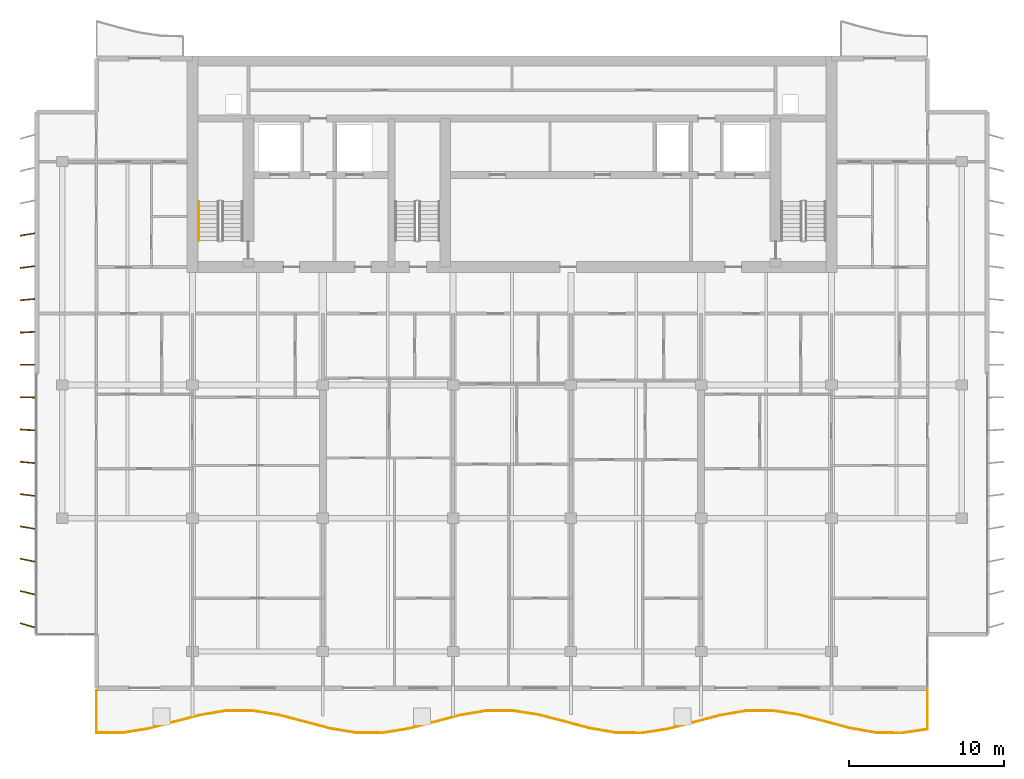
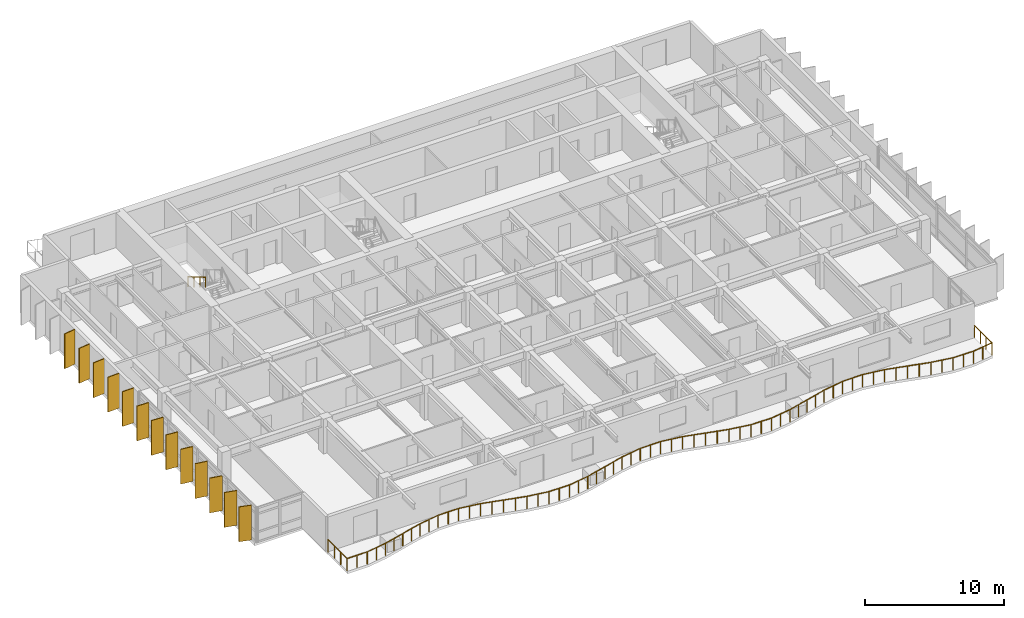
# One storey, part 12 of 16: 13 shading devices, 2 railings.
"""IFC4 building model written with IfcOpenShell, lengths in metres."""

from ifc_helpers import new_model, si_unit, direction, frame, origin, origin_2d, place, context, subcontext, project, spatial, rectangle, circle, extrude, material, material_profile, profile_set, type_object, element, save


model = new_model("IFC4")

# Units and contexts
model_context = context("Model", 3, precision=1e-05, world=origin(), true_north=direction((0.0, 1.0)))
body_context = subcontext(model_context, "Body", "Model", "MODEL_VIEW")
ifc_project = project(units=[si_unit("LENGTHUNIT", "METRE"), si_unit("AREAUNIT", "SQUARE_METRE"), si_unit("VOLUMEUNIT", "CUBIC_METRE"), si_unit("PLANEANGLEUNIT", "RADIAN"), si_unit("MASSUNIT", "GRAM", prefix="KILO")], contexts=[model_context])

# Site, building, storey
site_placement = place(None, origin())
site = spatial("IfcSite", under=ifc_project, at=site_placement, CompositionType="ELEMENT")
building_placement = place(site_placement, origin())
building = spatial("IfcBuilding", under=site, at=building_placement, Name="Caelmar Bay Residences", CompositionType="ELEMENT")
storey_placement = place(building_placement, frame((0.0, 0.0, 239.699951171875)))
storey = spatial("IfcBuildingStorey", under=building, at=storey_placement, Name="L67", CompositionType="ELEMENT", Elevation=239.699951171875)

# Railings
ifc_material_1 = material(Name="Anodised bronze handrail with laminated hurricane glass infill", Category="glass")
railing_type_1 = type_object("IfcRailingType", Name="RL-BAL-1100", PredefinedType="BALUSTRADE", material=ifc_material_1)
railing_1_placement = place(storey_placement, frame((12.10009765625, 9.699951171875, 0.0)))
element("IfcRailing", 1, at=railing_1_placement, inside=storey, type_object=railing_type_1, Name="L67 south Balcony Balustrade", PredefinedType="BALUSTRADE", context=body_context, shape_type="SweptSolid", body=[
    extrude(circle(Radius=0.02392578125, at=origin_2d()), frame((0.0, 0.0, 1.076171875), z_axis=(0.0, -1.0, 0.0), x_axis=(1.0, 0.0, 0.0)), (0.0, 0.0, 1.0), 2.733154296875),
    extrude(circle(Radius=0.02392578125, at=origin_2d()), frame((0.0, -2.733154296875, 1.076171875), z_axis=(0.999999957501, -0.000291545177, 0.0), x_axis=(0.000291545177, 0.999999957501, 0.0)), (0.0, 0.0, 1.0), 1.6748046875),
    extrude(circle(Radius=0.02392578125, at=origin_2d()), frame((1.6748046875, -2.733642578125, 1.076171875), z_axis=(0.987209726561, 0.159426960652, 0.0), x_axis=(-0.159426960652, 0.987209726561, 0.0)), (0.0, 0.0, 1.0), 1.69677734375),
    extrude(circle(Radius=0.02392578125, at=origin_2d()), frame((3.349853515625, -2.463134765625, 1.076171875), z_axis=(0.967335189045, 0.25350075352, 0.0), x_axis=(-0.25350075352, 0.967335189045, 0.0)), (0.0, 0.0, 1.0), 1.731689453125),
    extrude(circle(Radius=0.02392578125, at=origin_2d()), frame((5.02490234375, -2.024169921875, 1.076171875), z_axis=(0.967127467675, 0.25429207866, 0.0), x_axis=(-0.25429207866, 0.967127467675, 0.0)), (0.0, 0.0, 1.0), 1.73193359375),
    extrude(circle(Radius=0.02392578125, at=origin_2d()), frame((6.699951171875, -1.583740234375, 1.076171875), z_axis=(0.986799042311, 0.161949529463, 0.0), x_axis=(-0.161949529463, 0.986799042311, 0.0)), (0.0, 0.0, 1.0), 1.697509765625),
    extrude(circle(Radius=0.02392578125, at=origin_2d()), frame((8.375, -1.308837890625, 1.076171875), z_axis=(0.99999616446, 0.002769668677, 0.0), x_axis=(-0.002769668677, 0.99999616446, 0.0)), (0.0, 0.0, 1.0), 1.6748046875),
    extrude(circle(Radius=0.02392578125, at=origin_2d()), frame((10.0498046875, -1.30419921875, 1.076171875), z_axis=(0.987524919692, -0.157462798738, 0.0), x_axis=(0.157462798738, 0.987524919692, 0.0)), (0.0, 0.0, 1.0), 1.6962890625),
    extrude(circle(Radius=0.02392578125, at=origin_2d()), frame((11.724853515625, -1.5712890625, 1.076171875), z_axis=(0.967542351628, -0.252708919125, 0.0), x_axis=(0.252708919125, 0.967542351628, 0.0)), (0.0, 0.0, 1.0), 1.731201171875),
    extrude(circle(Radius=0.02392578125, at=origin_2d()), frame((13.39990234375, -2.0087890625, 1.076171875), z_axis=(0.966953940543, -0.254951126431, 0.0), x_axis=(0.254951126431, 0.966953940543, 0.0)), (0.0, 0.0, 1.0), 1.732177734375),
    extrude(circle(Radius=0.02392578125, at=origin_2d()), frame((15.074951171875, -2.450439453125, 1.076171875), z_axis=(0.986475407243, -0.163909337452, 0.0), x_axis=(0.163909337452, 0.986475407243, 0.0)), (0.0, 0.0, 1.0), 1.697998046875),
    extrude(circle(Radius=0.02392578125, at=origin_2d()), frame((16.75, -2.728759765625, 1.076171875), z_axis=(0.999985454932, -0.005393507556, 0.0), x_axis=(0.005393507556, 0.999985454932, 0.0)), (0.0, 0.0, 1.0), 1.6748046875),
    extrude(circle(Radius=0.02392578125, at=origin_2d()), frame((18.4248046875, -2.73779296875, 1.076171875), z_axis=(0.987858507644, 0.155356264356, 0.0), x_axis=(-0.155356264356, 0.987858507644, 0.0)), (0.0, 0.0, 1.0), 1.695556640625),
    extrude(circle(Radius=0.02392578125, at=origin_2d()), frame((20.099853515625, -2.474365234375, 1.076171875), z_axis=(0.967714559403, 0.252048668948, 0.0), x_axis=(-0.252048668948, 0.967714559403, 0.0)), (0.0, 0.0, 1.0), 1.73095703125),
    extrude(circle(Radius=0.02392578125, at=origin_2d()), frame((21.77490234375, -2.0380859375, 1.076171875), z_axis=(0.966780026886, 0.255609819089, 0.0), x_axis=(-0.255609819089, 0.966780026886, 0.0)), (0.0, 0.0, 1.0), 1.732666015625),
    extrude(circle(Radius=0.02392578125, at=origin_2d()), frame((23.449951171875, -1.59521484375, 1.076171875), z_axis=(0.986148097288, 0.165867206569, 0.0), x_axis=(-0.165867206569, 0.986148097288, 0.0)), (0.0, 0.0, 1.0), 1.698486328125),
    extrude(circle(Radius=0.02392578125, at=origin_2d()), frame((25.125, -1.3134765625, 1.076171875), z_axis=(0.999967861455, 0.008017235041, 0.0), x_axis=(-0.008017235041, 0.999967861455, 0.0)), (0.0, 0.0, 1.0), 1.6748046875),
    extrude(circle(Radius=0.02392578125, at=origin_2d()), frame((26.7998046875, -1.300048828125, 1.076171875), z_axis=(0.988166000447, -0.153388251053, 0.0), x_axis=(0.153388251053, 0.988166000447, 0.0)), (0.0, 0.0, 1.0), 1.695068359375),
    extrude(circle(Radius=0.02392578125, at=origin_2d()), frame((28.474853515625, -1.56005859375, 1.076171875), z_axis=(0.96792069445, -0.251255903923, 0.0), x_axis=(0.251255903923, 0.96792069445, 0.0)), (0.0, 0.0, 1.0), 1.73046875),
    extrude(circle(Radius=0.02392578125, at=origin_2d()), frame((30.14990234375, -1.994873046875, 1.076171875), z_axis=(0.966605727396, -0.256268155973, 0.0), x_axis=(0.256268155973, 0.966605727396, 0.0)), (0.0, 0.0, 1.0), 1.73291015625),
    extrude(circle(Radius=0.02392578125, at=origin_2d()), frame((31.824951171875, -2.43896484375, 1.076171875), z_axis=(0.985817123837, -0.167823116257, 0.0), x_axis=(0.167823116257, 0.985817123837, 0.0)), (0.0, 0.0, 1.0), 1.69921875),
    extrude(circle(Radius=0.02392578125, at=origin_2d()), frame((33.5, -2.72412109375, 1.076171875), z_axis=(0.999944925459, -0.01049504878, 0.0), x_axis=(0.01049504878, 0.999944925459, 0.0)), (0.0, 0.0, 1.0), 1.6748046875),
    extrude(circle(Radius=0.02392578125, at=origin_2d()), frame((35.1748046875, -2.74169921875, 1.076171875), z_axis=(0.988491313086, 0.151277638645, 0.0), x_axis=(-0.151277638645, 0.988491313086, 0.0)), (0.0, 0.0, 1.0), 1.694580078125),
    extrude(circle(Radius=0.02392578125, at=origin_2d()), frame((36.849853515625, -2.4853515625, 1.076171875), z_axis=(0.968160474746, 0.250330371987, 0.0), x_axis=(-0.250330371987, 0.968160474746, 0.0)), (0.0, 0.0, 1.0), 1.730224609375),
    extrude(circle(Radius=0.02392578125, at=origin_2d()), frame((38.52490234375, -2.05224609375, 1.076171875), z_axis=(0.966396059685, 0.257057689684, 0.0), x_axis=(-0.257057689684, 0.966396059685, 0.0)), (0.0, 0.0, 1.0), 1.7333984375),
    extrude(circle(Radius=0.02392578125, at=origin_2d()), frame((40.199951171875, -1.606689453125, 1.076171875), z_axis=(0.98550652107, 0.169637545749, 0.0), x_axis=(-0.169637545749, 0.98550652107, 0.0)), (0.0, 0.0, 1.0), 1.69970703125),
    extrude(circle(Radius=0.02392578125, at=origin_2d()), frame((41.875, -1.318359375, 1.076171875), z_axis=(0.999912027437, 0.013264139139, 0.0), x_axis=(-0.013264139139, 0.999912027437, 0.0)), (0.0, 0.0, 1.0), 1.675048828125),
    extrude(circle(Radius=0.02392578125, at=origin_2d()), frame((43.5498046875, -1.296142578125, 1.076171875), z_axis=(0.988791059214, -0.149305864647, 0.0), x_axis=(0.149305864647, 0.988791059214, 0.0)), (0.0, 0.0, 1.0), 1.694091796875),
    extrude(circle(Radius=0.02392578125, at=origin_2d()), frame((45.224853515625, -1.549072265625, 1.076171875), z_axis=(0.96836539028, -0.249536512173, 0.0), x_axis=(0.249536512173, 0.96836539028, 0.0)), (0.0, 0.0, 1.0), 1.729736328125),
    extrude(circle(Radius=0.02392578125, at=origin_2d()), frame((46.89990234375, -1.980712890625, 1.076171875), z_axis=(0.966255973692, -0.257583759785, 0.0), x_axis=(0.257583759785, 0.966255973692, 0.0)), (0.0, 0.0, 1.0), 1.733642578125),
    extrude(circle(Radius=0.02392578125, at=origin_2d()), frame((48.574951171875, -2.42724609375, 1.076171875), z_axis=(0.985144232543, -0.171728975677, 0.0), x_axis=(0.171728975677, 0.985144232543, 0.0)), (0.0, 0.0, 1.0), 1.7001953125),
    extrude(circle(Radius=0.02392578125, at=origin_2d()), frame((50.25, -2.71923828125, 1.076171875), z_axis=(0.999878378573, -0.015595770628, 0.0), x_axis=(0.015595770628, 0.999878378573, 0.0)), (0.0, 0.0, 1.0), 1.675048828125),
    extrude(circle(Radius=0.02392578125, at=origin_2d()), frame((51.9248046875, -2.745361328125, 1.076171875), z_axis=(0.989129026348, 0.147050226917, 0.0), x_axis=(-0.147050226917, 0.989129026348, 0.0)), (0.0, 0.0, 1.0), 1.693359375),
    extrude(circle(Radius=0.02392578125, at=origin_2d()), frame((53.599853515625, -2.496337890625, 1.076171875), z_axis=(0.0, 1.0, 0.0), x_axis=(-1.0, 0.0, 0.0)), (0.0, 0.0, 1.0), 2.496337890625),
    extrude(circle(Radius=0.02099609375, at=origin_2d()), origin(), (0.0, 0.0, 1.0), 1.052001953125),
    extrude(circle(Radius=0.02099609375, at=origin_2d()), frame((0.0, -0.9111328125, 0.0)), (0.0, 0.0, 1.0), 1.052001953125),
    extrude(circle(Radius=0.02099609375, at=origin_2d()), frame((0.0, -1.822021484375, 0.0)), (0.0, 0.0, 1.0), 1.052001953125),
    extrude(circle(Radius=0.02099609375, at=origin_2d()), frame((0.0, -2.733154296875, 0.0)), (0.0, 0.0, 1.0), 1.052001953125),
    extrude(circle(Radius=0.02099609375, at=origin_2d()), frame((0.83740234375, -2.7333984375, 0.0)), (0.0, 0.0, 1.0), 1.052001953125),
    extrude(circle(Radius=0.02099609375, at=origin_2d()), frame((1.6748046875, -2.733642578125, 0.0)), (0.0, 0.0, 1.0), 1.052001953125),
    extrude(circle(Radius=0.02099609375, at=origin_2d()), frame((2.51220703125, -2.598388671875, 0.0)), (0.0, 0.0, 1.0), 1.052001953125),
    extrude(circle(Radius=0.02099609375, at=origin_2d()), frame((3.349853515625, -2.463134765625, 0.0)), (0.0, 0.0, 1.0), 1.052001953125),
    extrude(circle(Radius=0.02099609375, at=origin_2d()), frame((4.1875, -2.24365234375, 0.0)), (0.0, 0.0, 1.0), 1.052001953125),
    extrude(circle(Radius=0.02099609375, at=origin_2d()), frame((5.02490234375, -2.024169921875, 0.0)), (0.0, 0.0, 1.0), 1.052001953125),
    extrude(circle(Radius=0.02099609375, at=origin_2d()), frame((5.8623046875, -1.803955078125, 0.0)), (0.0, 0.0, 1.0), 1.052001953125),
    extrude(circle(Radius=0.02099609375, at=origin_2d()), frame((6.699951171875, -1.583740234375, 0.0)), (0.0, 0.0, 1.0), 1.052001953125),
    extrude(circle(Radius=0.02099609375, at=origin_2d()), frame((7.53759765625, -1.4462890625, 0.0)), (0.0, 0.0, 1.0), 1.052001953125),
    extrude(circle(Radius=0.02099609375, at=origin_2d()), frame((8.375, -1.308837890625, 0.0)), (0.0, 0.0, 1.0), 1.052001953125),
    extrude(circle(Radius=0.02099609375, at=origin_2d()), frame((9.21240234375, -1.306640625, 0.0)), (0.0, 0.0, 1.0), 1.052001953125),
    extrude(circle(Radius=0.02099609375, at=origin_2d()), frame((10.0498046875, -1.30419921875, 0.0)), (0.0, 0.0, 1.0), 1.052001953125),
    extrude(circle(Radius=0.02099609375, at=origin_2d()), frame((10.88720703125, -1.437744140625, 0.0)), (0.0, 0.0, 1.0), 1.052001953125),
    extrude(circle(Radius=0.02099609375, at=origin_2d()), frame((11.724853515625, -1.5712890625, 0.0)), (0.0, 0.0, 1.0), 1.052001953125),
    extrude(circle(Radius=0.02099609375, at=origin_2d()), frame((12.5625, -1.7900390625, 0.0)), (0.0, 0.0, 1.0), 1.052001953125),
    extrude(circle(Radius=0.02099609375, at=origin_2d()), frame((13.39990234375, -2.0087890625, 0.0)), (0.0, 0.0, 1.0), 1.052001953125),
    extrude(circle(Radius=0.02099609375, at=origin_2d()), frame((14.2373046875, -2.2294921875, 0.0)), (0.0, 0.0, 1.0), 1.052001953125),
    extrude(circle(Radius=0.02099609375, at=origin_2d()), frame((15.074951171875, -2.450439453125, 0.0)), (0.0, 0.0, 1.0), 1.052001953125),
    extrude(circle(Radius=0.02099609375, at=origin_2d()), frame((15.91259765625, -2.589599609375, 0.0)), (0.0, 0.0, 1.0), 1.052001953125),
    extrude(circle(Radius=0.02099609375, at=origin_2d()), frame((16.75, -2.728759765625, 0.0)), (0.0, 0.0, 1.0), 1.052001953125),
    extrude(circle(Radius=0.02099609375, at=origin_2d()), frame((17.58740234375, -2.7333984375, 0.0)), (0.0, 0.0, 1.0), 1.052001953125),
    extrude(circle(Radius=0.02099609375, at=origin_2d()), frame((18.4248046875, -2.73779296875, 0.0)), (0.0, 0.0, 1.0), 1.052001953125),
    extrude(circle(Radius=0.02099609375, at=origin_2d()), frame((19.26220703125, -2.60595703125, 0.0)), (0.0, 0.0, 1.0), 1.052001953125),
    extrude(circle(Radius=0.02099609375, at=origin_2d()), frame((20.099853515625, -2.474365234375, 0.0)), (0.0, 0.0, 1.0), 1.052001953125),
    extrude(circle(Radius=0.02099609375, at=origin_2d()), frame((20.9375, -2.25634765625, 0.0)), (0.0, 0.0, 1.0), 1.052001953125),
    extrude(circle(Radius=0.02099609375, at=origin_2d()), frame((21.77490234375, -2.0380859375, 0.0)), (0.0, 0.0, 1.0), 1.052001953125),
    extrude(circle(Radius=0.02099609375, at=origin_2d()), frame((22.6123046875, -1.816650390625, 0.0)), (0.0, 0.0, 1.0), 1.052001953125),
    extrude(circle(Radius=0.02099609375, at=origin_2d()), frame((23.449951171875, -1.59521484375, 0.0)), (0.0, 0.0, 1.0), 1.052001953125),
    extrude(circle(Radius=0.02099609375, at=origin_2d()), frame((24.28759765625, -1.454345703125, 0.0)), (0.0, 0.0, 1.0), 1.052001953125),
    extrude(circle(Radius=0.02099609375, at=origin_2d()), frame((25.125, -1.3134765625, 0.0)), (0.0, 0.0, 1.0), 1.052001953125),
    extrude(circle(Radius=0.02099609375, at=origin_2d()), frame((25.96240234375, -1.306640625, 0.0)), (0.0, 0.0, 1.0), 1.052001953125),
    extrude(circle(Radius=0.02099609375, at=origin_2d()), frame((26.7998046875, -1.300048828125, 0.0)), (0.0, 0.0, 1.0), 1.052001953125),
    extrude(circle(Radius=0.02099609375, at=origin_2d()), frame((27.63720703125, -1.43017578125, 0.0)), (0.0, 0.0, 1.0), 1.052001953125),
    extrude(circle(Radius=0.02099609375, at=origin_2d()), frame((28.474853515625, -1.56005859375, 0.0)), (0.0, 0.0, 1.0), 1.052001953125),
    extrude(circle(Radius=0.02099609375, at=origin_2d()), frame((29.3125, -1.77734375, 0.0)), (0.0, 0.0, 1.0), 1.052001953125),
    extrude(circle(Radius=0.02099609375, at=origin_2d()), frame((30.14990234375, -1.994873046875, 0.0)), (0.0, 0.0, 1.0), 1.052001953125),
    extrude(circle(Radius=0.02099609375, at=origin_2d()), frame((30.9873046875, -2.216796875, 0.0)), (0.0, 0.0, 1.0), 1.052001953125),
    extrude(circle(Radius=0.02099609375, at=origin_2d()), frame((31.824951171875, -2.43896484375, 0.0)), (0.0, 0.0, 1.0), 1.052001953125),
    extrude(circle(Radius=0.02099609375, at=origin_2d()), frame((32.66259765625, -2.58154296875, 0.0)), (0.0, 0.0, 1.0), 1.052001953125),
    extrude(circle(Radius=0.02099609375, at=origin_2d()), frame((33.5, -2.72412109375, 0.0)), (0.0, 0.0, 1.0), 1.052001953125),
    extrude(circle(Radius=0.02099609375, at=origin_2d()), frame((34.33740234375, -2.73291015625, 0.0)), (0.0, 0.0, 1.0), 1.052001953125),
    extrude(circle(Radius=0.02099609375, at=origin_2d()), frame((35.1748046875, -2.74169921875, 0.0)), (0.0, 0.0, 1.0), 1.052001953125),
    extrude(circle(Radius=0.02099609375, at=origin_2d()), frame((36.01220703125, -2.613525390625, 0.0)), (0.0, 0.0, 1.0), 1.052001953125),
    extrude(circle(Radius=0.02099609375, at=origin_2d()), frame((36.849853515625, -2.4853515625, 0.0)), (0.0, 0.0, 1.0), 1.052001953125),
    extrude(circle(Radius=0.02099609375, at=origin_2d()), frame((37.6875, -2.268798828125, 0.0)), (0.0, 0.0, 1.0), 1.052001953125),
    extrude(circle(Radius=0.02099609375, at=origin_2d()), frame((38.52490234375, -2.05224609375, 0.0)), (0.0, 0.0, 1.0), 1.052001953125),
    extrude(circle(Radius=0.02099609375, at=origin_2d()), frame((39.3623046875, -1.82958984375, 0.0)), (0.0, 0.0, 1.0), 1.052001953125),
    extrude(circle(Radius=0.02099609375, at=origin_2d()), frame((40.199951171875, -1.606689453125, 0.0)), (0.0, 0.0, 1.0), 1.052001953125),
    extrude(circle(Radius=0.02099609375, at=origin_2d()), frame((41.03759765625, -1.46240234375, 0.0)), (0.0, 0.0, 1.0), 1.052001953125),
    extrude(circle(Radius=0.02099609375, at=origin_2d()), frame((41.875, -1.318359375, 0.0)), (0.0, 0.0, 1.0), 1.052001953125),
    extrude(circle(Radius=0.02099609375, at=origin_2d()), frame((42.71240234375, -1.30712890625, 0.0)), (0.0, 0.0, 1.0), 1.052001953125),
    extrude(circle(Radius=0.02099609375, at=origin_2d()), frame((43.5498046875, -1.296142578125, 0.0)), (0.0, 0.0, 1.0), 1.052001953125),
    extrude(circle(Radius=0.02099609375, at=origin_2d()), frame((44.38720703125, -1.422607421875, 0.0)), (0.0, 0.0, 1.0), 1.052001953125),
    extrude(circle(Radius=0.02099609375, at=origin_2d()), frame((45.224853515625, -1.549072265625, 0.0)), (0.0, 0.0, 1.0), 1.052001953125),
    extrude(circle(Radius=0.02099609375, at=origin_2d()), frame((46.0625, -1.764892578125, 0.0)), (0.0, 0.0, 1.0), 1.052001953125),
    extrude(circle(Radius=0.02099609375, at=origin_2d()), frame((46.89990234375, -1.980712890625, 0.0)), (0.0, 0.0, 1.0), 1.052001953125),
    extrude(circle(Radius=0.02099609375, at=origin_2d()), frame((47.7373046875, -2.2041015625, 0.0)), (0.0, 0.0, 1.0), 1.052001953125),
    extrude(circle(Radius=0.02099609375, at=origin_2d()), frame((48.574951171875, -2.42724609375, 0.0)), (0.0, 0.0, 1.0), 1.052001953125),
    extrude(circle(Radius=0.02099609375, at=origin_2d()), frame((49.41259765625, -2.5732421875, 0.0)), (0.0, 0.0, 1.0), 1.052001953125),
    extrude(circle(Radius=0.02099609375, at=origin_2d()), frame((50.25, -2.71923828125, 0.0)), (0.0, 0.0, 1.0), 1.052001953125),
    extrude(circle(Radius=0.02099609375, at=origin_2d()), frame((51.08740234375, -2.732421875, 0.0)), (0.0, 0.0, 1.0), 1.052001953125),
    extrude(circle(Radius=0.02099609375, at=origin_2d()), frame((51.9248046875, -2.745361328125, 0.0)), (0.0, 0.0, 1.0), 1.052001953125),
    extrude(circle(Radius=0.02099609375, at=origin_2d()), frame((52.76220703125, -2.620849609375, 0.0)), (0.0, 0.0, 1.0), 1.052001953125),
    extrude(circle(Radius=0.02099609375, at=origin_2d()), frame((53.599853515625, -2.496337890625, 0.0)), (0.0, 0.0, 1.0), 1.052001953125),
    extrude(circle(Radius=0.02099609375, at=origin_2d()), frame((53.599853515625, -1.664306640625, 0.0)), (0.0, 0.0, 1.0), 1.052001953125),
    extrude(circle(Radius=0.02099609375, at=origin_2d()), frame((53.599853515625, -0.83203125, 0.0)), (0.0, 0.0, 1.0), 1.052001953125),
    extrude(circle(Radius=0.02099609375, at=origin_2d()), frame((53.599853515625, 0.0, 0.0)), (0.0, 0.0, 1.0), 1.052001953125),
])
ifc_material_2 = material(Name="Brushed bronze stainless-steel tubular handrail 900 mm", Category="steel")
railing_type_2 = type_object("IfcRailingType", Name="RL-HND-900", PredefinedType="HANDRAIL", material=ifc_material_2)
railing_2_placement = place(storey_placement, frame((18.699951171875, 41.219970703125, 1.81494140625)))
element("IfcRailing", 2, at=railing_2_placement, inside=storey, type_object=railing_type_2, Name="L67 ST1 stair handrail 2", PredefinedType="HANDRAIL", context=body_context, shape_type="SweptSolid", body=[
    extrude(circle(Radius=0.02392578125, at=origin_2d()), frame((0.0, 0.0, 0.8759765625), z_axis=(0.0, -0.86152411907, 0.507716645641), x_axis=(1.0, 0.0, 0.0)), (0.0, 0.0, 1.0), 2.925048828125),
    extrude(circle(Radius=0.02099609375, at=origin_2d()), origin(), (0.0, 0.0, 1.0), 0.851806640625),
    extrude(circle(Radius=0.02099609375, at=origin_2d()), frame((0.0, -0.840087890625, 0.4951171875)), (0.0, 0.0, 1.0), 0.851806640625),
    extrude(circle(Radius=0.02099609375, at=origin_2d()), frame((0.0, -1.679931640625, 0.989990234375)), (0.0, 0.0, 1.0), 0.851806640625),
    extrude(circle(Radius=0.02099609375, at=origin_2d()), frame((0.0, -2.52001953125, 1.485107421875)), (0.0, 0.0, 1.0), 0.851806640625),
])

# Shading devices
ifc_material_3 = material(Name="Anodised architectural bronze aluminium 6063-T6", Category="aluminium")
ifc_material_profile = material_profile(ifc_material_3, rectangle(XDim=0.074951171875, YDim=0.949951171875, at=origin_2d()), Name="BRONZE-FIN-75X950")
ifc_profile_set = profile_set([ifc_material_profile], Name="Anodised architectural bronze aluminium 6063-T6")
shading_device_type = type_object("IfcShadingDeviceType", Name="SHD-FIN-950", PredefinedType="USERDEFINED", material=ifc_profile_set)
for number, where, z_axis, x_axis, name in (
    (3, (7.64990234375, 13.89990234375, 0.0), (0.0, 0.0, 1.0), (0.275637355817, 0.961261695938, 0.0), "L67 West Bronze Solar Fin 1"),
    (4, (7.64990234375, 16.0, 0.0), (0.0, 0.0, 1.0), (0.239719743609, 0.970842131618, 0.0), "L67 West Bronze Solar Fin 2"),
    (5, (7.64990234375, 18.10009765625, 0.0), (0.0, 0.0, 1.0), (0.2032999874, 0.979116497217, 0.0), "L67 West Bronze Solar Fin 3"),
    (6, (7.64990234375, 20.199951171875, 0.0), (0.0, 0.0, 1.0), (0.166768746716, 0.985996037071, 0.0), "L67 West Bronze Solar Fin 4"),
    (7, (7.64990234375, 22.300048828125, 0.0), (0.0, 0.0, 1.0), (0.130007055036, 0.99151306882, 0.0), "L67 West Bronze Solar Fin 5"),
    (8, (7.64990234375, 24.39990234375, 0.0), (0.0, 0.0, 1.0), (0.092891934994, 0.995676196569, 0.0), "L67 West Bronze Solar Fin 6"),
    (9, (7.64990234375, 26.5, 0.0), (0.0, 0.0, 1.0), (0.055821504993, 0.998440764182, 0.0), "L67 West Bronze Solar Fin 7"),
    (10, (7.64990234375, 28.60009765625, 0.0), (0.0, 0.0, 1.0), (0.018673937509, 0.999825626826, 0.0), "L67 West Bronze Solar Fin 8"),
    (11, (7.64990234375, 30.699951171875, 0.0), (0.0, 0.0, 1.0), (-0.018673937509, 0.999825626826, 0.0), "L67 West Bronze Solar Fin 9"),
    (12, (7.64990234375, 32.800048828125, 0.0), (0.0, 0.0, 1.0), (-0.055821504993, 0.998440764182, 0.0), "L67 West Bronze Solar Fin 10"),
    (13, (7.64990234375, 34.89990234375, 0.0), (0.0, 0.0, 1.0), (-0.092891934994, 0.995676196569, 0.0), "L67 West Bronze Solar Fin 11"),
    (14, (7.64990234375, 37.0, 0.0), (0.0, 0.0, 1.0), (-0.130007055036, 0.99151306882, 0.0), "L67 West Bronze Solar Fin 12"),
    (15, (7.64990234375, 39.10009765625, 0.0), (0.0, 0.0, 1.0), (-0.166768746716, 0.985996037071, 0.0), "L67 West Bronze Solar Fin 13"),
):
    element("IfcShadingDevice", number, at=place(storey_placement, frame(where, z_axis=z_axis, x_axis=x_axis)), inside=storey, type_object=shading_device_type, Name=name, ObjectType="FIN", PredefinedType="USERDEFINED", context=body_context, shape_type="SweptSolid", body=[
        extrude(rectangle(XDim=0.074951171875, YDim=0.949951171875, at=origin_2d()), origin(), (0.0, 0.0, 1.0), 3.050048828125),
    ])

save(model, "model.ifc")
